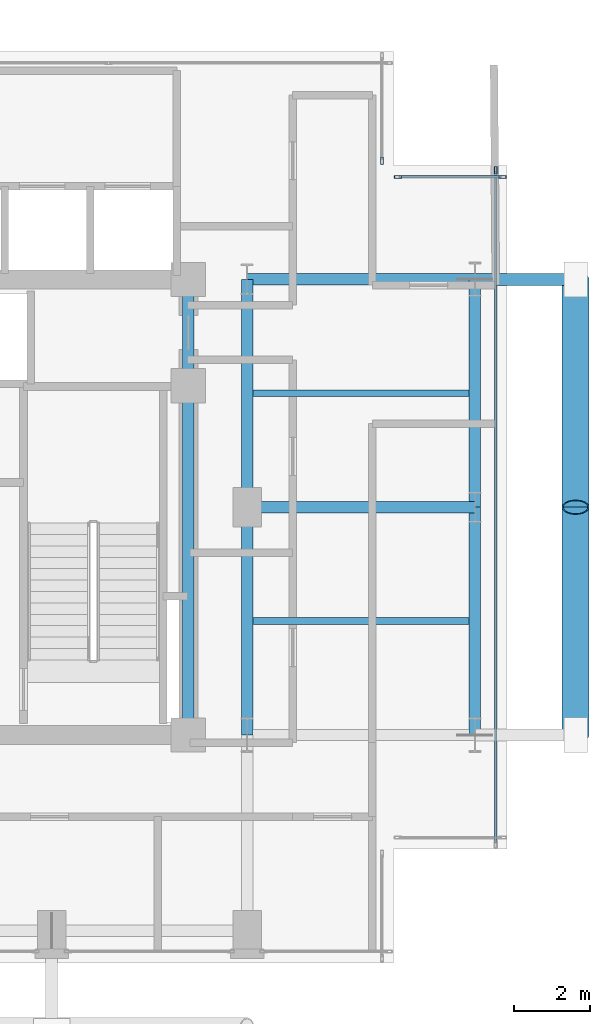
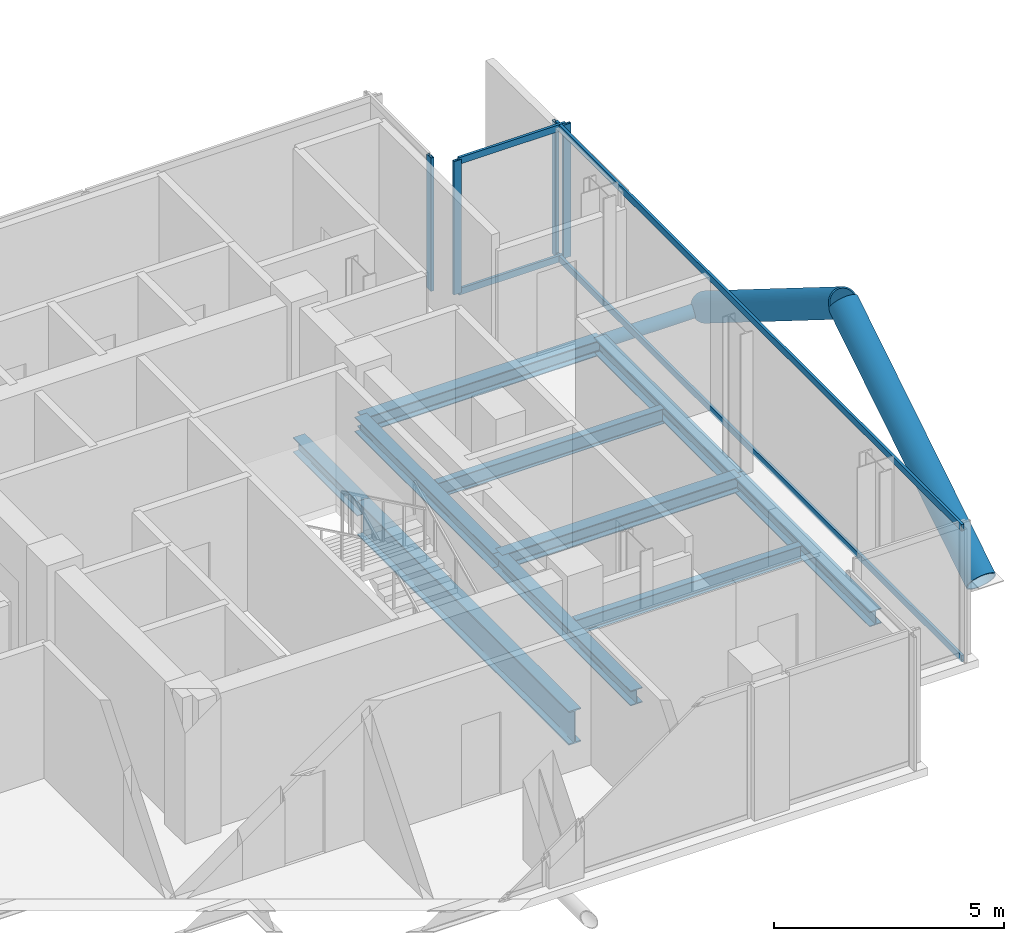
# One storey, part 11 of 22: 11 members, 10 beams, 3 elements without a shape of their own.
"""IFC4 building model written with IfcOpenShell, lengths in metres."""

from ifc_helpers import new_model, si_unit, direction, frame, origin, origin_2d, place, context, subcontext, project, spatial, hollow_rectangle, hollow_circle, i_section, extrude, material, layer, layer_set, material_profile, profile_set, type_object, element, aggregate, save


model = new_model("IFC4")

# Units and contexts
model_context = context("Model", 3, precision=1e-05, world=origin(), true_north=direction((0.0, 1.0)))
body_context = subcontext(model_context, "Body", "Model", "MODEL_VIEW")
ifc_project = project(units=[si_unit("LENGTHUNIT", "METRE"), si_unit("AREAUNIT", "SQUARE_METRE"), si_unit("VOLUMEUNIT", "CUBIC_METRE"), si_unit("PLANEANGLEUNIT", "RADIAN"), si_unit("MASSUNIT", "GRAM", prefix="KILO"), si_unit("THERMODYNAMICTEMPERATUREUNIT", "KELVIN"), si_unit("POWERUNIT", "WATT")], contexts=[model_context])

# Site, building, storey
site_placement = place(None, origin())
site = spatial("IfcSite", under=ifc_project, at=site_placement, CompositionType="ELEMENT")
building_placement = place(site_placement, origin())
building = spatial("IfcBuilding", under=site, at=building_placement, Name="Svarakhadi Broadcast Tower", CompositionType="ELEMENT")
storey_placement = place(building_placement, frame((0.0, 0.0, 172.949951171875)))
storey = spatial("IfcBuildingStorey", under=building, at=storey_placement, Name="L42", CompositionType="ELEMENT", Elevation=172.949951171875)

# Beams
ifc_material_1 = material(Name="Steel S355J2 (IS 2062 E350C)", Category="steel")
ifc_material_profile_1 = material_profile(ifc_material_1, i_section(OverallWidth=0.179931640625, OverallDepth=0.39990234375, WebThickness=0.008544921875, FlangeThickness=0.013427734375, FilletRadius=0.02099609375, at=origin_2d()), Name="NPB 400x180x66")
ifc_profile_set_1 = profile_set([ifc_material_profile_1], Name="Steel S355J2 (IS 2062 E350C)")
beam_type_1 = type_object("IfcBeamType", Name="Beam_NPB400", PredefinedType="BEAM", material=ifc_profile_set_1)
for number, where, z_axis, x_axis, name in (
    (1, (35.31005859375, 9.0, -0.409912109375), (1.0, 0.0, 0.0), (0.0, 1.0, 0.0), "L42 Secondary Composite Beam SB016"),
    (2, (35.31005859375, 15.0, -0.409912109375), (1.0, 0.0, 0.0), (0.0, 1.0, 0.0), "L42 Secondary Composite Beam SB017"),
):
    element("IfcBeam", number, at=place(storey_placement, frame(where, z_axis=z_axis, x_axis=x_axis)), inside=storey, type_object=beam_type_1, Name=name, PredefinedType="BEAM", context=body_context, shape_type="SweptSolid", body=[
        extrude(i_section(OverallWidth=0.179931640625, OverallDepth=0.39990234375, WebThickness=0.008544921875, FlangeThickness=0.013427734375, FilletRadius=0.02099609375, at=origin_2d()), origin(), (0.0, 0.0, 1.0), 5.679931640625),
    ])

# Curtain wall, member
ifc_material_2 = material(Name="Anodised Bronze Aluminium AA 6063-T6", Category="aluminium")
ifc_layer = layer(ifc_material_2, 0.18994140625)
ifc_layer_set = layer_set([ifc_layer], Name="Anodised Bronze Aluminium AA 6063-T6")
curtain_wall_type = type_object("IfcCurtainWallType", Name="CW_Sys_04", PredefinedType="NOTDEFINED", material=ifc_layer_set)
curtain_wall_1_placement = place(storey_placement, origin())
curtain_wall_1 = element("IfcCurtainWall", 3, at=curtain_wall_1_placement, inside=storey, type_object=curtain_wall_type, Name="L42 Unitised Facade Curtain Wall 11", PredefinedType="NOTDEFINED")
ifc_material_profile_2 = material_profile(ifc_material_2, hollow_rectangle(XDim=0.070068359375, YDim=0.18994140625, WallThickness=0.005615234375, at=origin_2d()), Name="ALU MULLION 190x70x6")
ifc_profile_set_2 = profile_set([ifc_material_profile_2], Name="Anodised Bronze Aluminium AA 6063-T6")
member_type_1 = type_object("IfcMemberType", Name="CW_Sys_04_Mul", PredefinedType="MULLION", material=ifc_profile_set_2)
member_1_placement = place(storey_placement, frame((38.699951171875, 21.125, 0.0), z_axis=(0.0, 0.0, 1.0), x_axis=(1.0, 0.0, 0.0)))
member_1 = element("IfcMember", 4, at=member_1_placement, type_object=member_type_1, Name="CW-04 mullion 2", PredefinedType="MULLION", context=body_context, shape_type="SweptSolid", body=[
    extrude(hollow_rectangle(XDim=0.070068359375, YDim=0.18994140625, WallThickness=0.005615234375, at=origin_2d()), origin(), (0.0, 0.0, 1.0), 3.5400390625),
])
aggregate(curtain_wall_1, [member_1])

# Curtain wall, members
curtain_wall_2_placement = place(storey_placement, origin())
curtain_wall_2 = element("IfcCurtainWall", 5, at=curtain_wall_2_placement, inside=storey, type_object=curtain_wall_type, Name="L42 Unitised Facade Curtain Wall 12", PredefinedType="NOTDEFINED")
member_2_placement = place(storey_placement, frame((39.125, 20.699951171875, 0.0), z_axis=(0.0, 0.0, 1.0), x_axis=(0.0, 1.0, 0.0)))
member_2 = element("IfcMember", 6, at=member_2_placement, type_object=member_type_1, Name="CW-04 mullion 1", PredefinedType="MULLION", context=body_context, shape_type="SweptSolid", body=[
    extrude(hollow_rectangle(XDim=0.070068359375, YDim=0.18994140625, WallThickness=0.005615234375, at=origin_2d()), origin(), (0.0, 0.0, 1.0), 3.5400390625),
])
member_3_placement = place(storey_placement, frame((41.875, 20.699951171875, 0.0), z_axis=(0.0, 0.0, 1.0), x_axis=(0.0, 1.0, 0.0)))
member_3 = element("IfcMember", 7, at=member_3_placement, type_object=member_type_1, Name="CW-04 mullion 2", PredefinedType="MULLION", context=body_context, shape_type="SweptSolid", body=[
    extrude(hollow_rectangle(XDim=0.070068359375, YDim=0.18994140625, WallThickness=0.005615234375, at=origin_2d()), origin(), (0.0, 0.0, 1.0), 3.5400390625),
])

# Curtain wall, member
curtain_wall_3_placement = place(storey_placement, origin())
curtain_wall_3 = element("IfcCurtainWall", 8, at=curtain_wall_3_placement, inside=storey, type_object=curtain_wall_type, Name="L42 Unitised Facade Curtain Wall 13", PredefinedType="NOTDEFINED")
member_4_placement = place(storey_placement, frame((41.699951171875, 20.875, 0.0), z_axis=(0.0, 0.0, 1.0), x_axis=(1.0, 0.0, 0.0)))
member_4 = element("IfcMember", 9, at=member_4_placement, type_object=member_type_1, Name="CW-04 mullion 1", PredefinedType="MULLION", context=body_context, shape_type="SweptSolid", body=[
    extrude(hollow_rectangle(XDim=0.070068359375, YDim=0.18994140625, WallThickness=0.005615234375, at=origin_2d()), origin(), (0.0, 0.0, 1.0), 3.5400390625),
])

# Member
ifc_material_profile_3 = material_profile(ifc_material_2, hollow_rectangle(XDim=0.06494140625, YDim=0.175048828125, WallThickness=0.0048828125, at=origin_2d()), Name="ALU TRANSOM 175x65x5")
ifc_profile_set_3 = profile_set([ifc_material_profile_3], Name="Anodised Bronze Aluminium AA 6063-T6")
member_type_2 = type_object("IfcMemberType", Name="CW_Sys_04_Trn", PredefinedType="USERDEFINED", material=ifc_profile_set_3)
member_5_placement = place(storey_placement, frame((39.159912109375, 20.699951171875, 0.032470703125), z_axis=(1.0, 0.0, 0.0), x_axis=(0.0, 1.0, 0.0)))
member_5 = element("IfcMember", 10, at=member_5_placement, type_object=member_type_2, Name="CW-04 transom 1.1", ObjectType="TRANSOM", PredefinedType="USERDEFINED", context=body_context, shape_type="SweptSolid", body=[
    extrude(hollow_rectangle(XDim=0.06494140625, YDim=0.175048828125, WallThickness=0.0048828125, at=origin_2d()), origin(), (0.0, 0.0, 1.0), 2.68017578125),
])

member_6_placement = place(storey_placement, frame((39.159912109375, 20.699951171875, 3.507568359375), z_axis=(1.0, 0.0, 0.0), x_axis=(0.0, 1.0, 0.0)))
member_6 = element("IfcMember", 11, at=member_6_placement, type_object=member_type_2, Name="CW-04 transom 1.2", ObjectType="TRANSOM", PredefinedType="USERDEFINED", context=body_context, shape_type="SweptSolid", body=[
    extrude(hollow_rectangle(XDim=0.06494140625, YDim=0.175048828125, WallThickness=0.0048828125, at=origin_2d()), origin(), (0.0, 0.0, 1.0), 2.68017578125),
])

aggregate(curtain_wall_2, [member_2, member_3, member_5, member_6])

member_7_placement = place(storey_placement, frame((41.699951171875, 20.840087890625, 0.032470703125), z_axis=(0.0, -1.0, 0.0), x_axis=(1.0, 0.0, 0.0)))
member_7 = element("IfcMember", 12, at=member_7_placement, type_object=member_type_2, Name="CW-04 transom 1.1", ObjectType="TRANSOM", PredefinedType="USERDEFINED", context=body_context, shape_type="SweptSolid", body=[
    extrude(hollow_rectangle(XDim=0.06494140625, YDim=0.175048828125, WallThickness=0.0048828125, at=origin_2d()), origin(), (0.0, 0.0, 1.0), 17.68017578125),
])

member_8_placement = place(storey_placement, frame((41.699951171875, 20.840087890625, 3.507568359375), z_axis=(0.0, -1.0, 0.0), x_axis=(1.0, 0.0, 0.0)))
member_8 = element("IfcMember", 13, at=member_8_placement, type_object=member_type_2, Name="CW-04 transom 1.2", ObjectType="TRANSOM", PredefinedType="USERDEFINED", context=body_context, shape_type="SweptSolid", body=[
    extrude(hollow_rectangle(XDim=0.06494140625, YDim=0.175048828125, WallThickness=0.0048828125, at=origin_2d()), origin(), (0.0, 0.0, 1.0), 17.68017578125),
])

aggregate(curtain_wall_3, [member_4, member_7, member_8])

# Members
ifc_material_3 = material(Name="Steel S460ML (IS 2062 E450BR)", Category="steel")
ifc_material_profile_4 = material_profile(ifc_material_3, hollow_circle(Radius=0.35546875, WallThickness=0.034912109375, at=origin_2d()), Name="CHS 711x35")
ifc_profile_set_4 = profile_set([ifc_material_profile_4], Name="Steel S460ML (IS 2062 E450BR)")
member_type_3 = type_object("IfcMemberType", Name="Exo_Brace_CHS711", PredefinedType="BRACE", material=ifc_profile_set_4)
for number, where, z_axis, x_axis, name in (
    (14, (43.800048828125, 6.0, -0.371826171875), (0.0, 0.847998304005, 0.529998940003), (-1.0, 0.0, 0.0), "L42 Exposed Bronze Exoskeleton Diagonal E04"),
    (15, (43.800048828125, 18.0, -0.371826171875), (0.0, -0.847998304005, 0.529998940003), (1.0, 0.0, 0.0), "L42 Exposed Bronze Exoskeleton Diagonal E05"),
):
    element("IfcMember", number, at=place(storey_placement, frame(where, z_axis=z_axis, x_axis=x_axis)), inside=storey, type_object=member_type_3, Name=name, PredefinedType="BRACE", context=body_context, shape_type="SweptSolid", body=[
        extrude(hollow_circle(Radius=0.35546875, WallThickness=0.034912109375, at=origin_2d()), origin(), (0.0, 0.0, 1.0), 7.075439453125),
    ])
ifc_material_profile_5 = material_profile(ifc_material_3, hollow_circle(Radius=0.161865234375, WallThickness=0.01611328125, at=origin_2d()), Name="CHS 323.9x16")
ifc_profile_set_5 = profile_set([ifc_material_profile_5], Name="Steel S460ML (IS 2062 E450BR)")
member_type_4 = type_object("IfcMemberType", Name="Exo_Radial_Strut_Z2", PredefinedType="STRUT", material=ifc_profile_set_5)
member_9_placement = place(storey_placement, frame((43.800048828125, 18.0, -0.371826171875), z_axis=(-1.0, 0.0, 0.0), x_axis=(0.0, -1.0, 0.0)))
element("IfcMember", 16, at=member_9_placement, inside=storey, type_object=member_type_4, Name="L42 Exoskeleton Radial Tie Strut E08", PredefinedType="STRUT", context=body_context, shape_type="SweptSolid", body=[
    extrude(hollow_circle(Radius=0.161865234375, WallThickness=0.01611328125, at=origin_2d()), origin(), (0.0, 0.0, 1.0), 2.650146484375),
])

# Beams
ifc_material_profile_6 = material_profile(ifc_material_1, i_section(OverallWidth=0.300048828125, OverallDepth=0.39990234375, WebThickness=0.013427734375, FlangeThickness=0.02392578125, FilletRadius=0.027099609375, at=origin_2d()), Name="WPB 400x300x155")
ifc_profile_set_6 = profile_set([ifc_material_profile_6], Name="Steel S355J2 (IS 2062 E350C)")
beam_type_2 = type_object("IfcBeamType", Name="Girder_WPB400", PredefinedType="USERDEFINED", material=ifc_profile_set_6)
for number, where, z_axis, x_axis, name in (
    (17, (35.14990234375, 12.0, -0.409912109375), (1.0, 0.0, 0.0), (0.0, 1.0, 0.0), "L42 Primary E-W Girder G019"),
    (18, (35.14990234375, 18.0, -0.409912109375), (1.0, 0.0, 0.0), (0.0, 1.0, 0.0), "L42 Primary E-W Girder G025"),
):
    element("IfcBeam", number, at=place(storey_placement, frame(where, z_axis=z_axis, x_axis=x_axis)), inside=storey, type_object=beam_type_2, Name=name, ObjectType="GIRDER", PredefinedType="USERDEFINED", context=body_context, shape_type="SweptSolid", body=[
        extrude(i_section(OverallWidth=0.300048828125, OverallDepth=0.39990234375, WebThickness=0.013427734375, FlangeThickness=0.02392578125, FilletRadius=0.027099609375, at=origin_2d()), origin(), (0.0, 0.0, 1.0), 6.0),
    ])
beam_1_placement = place(storey_placement, frame((33.60009765625, 15.199951171875, -0.409912109375), z_axis=(0.0, 1.0, 0.0), x_axis=(-1.0, 0.0, 0.0)))
element("IfcBeam", 19, at=beam_1_placement, inside=storey, type_object=beam_type_2, Name="L42 Primary N-S Girder G055", ObjectType="GIRDER", PredefinedType="USERDEFINED", context=body_context, shape_type="SweptSolid", body=[
    extrude(i_section(OverallWidth=0.300048828125, OverallDepth=0.39990234375, WebThickness=0.013427734375, FlangeThickness=0.02392578125, FilletRadius=0.027099609375, at=origin_2d()), origin(), (0.0, 0.0, 1.0), 2.800048828125),
])
for number, where, z_axis, x_axis, name in (
    (20, (35.14990234375, 6.0, -0.409912109375), (0.0, 1.0, 0.0), (-1.0, 0.0, 0.0), "L42 Primary N-S Girder G057"),
    (21, (35.14990234375, 12.0, -0.409912109375), (0.0, 1.0, 0.0), (-1.0, 0.0, 0.0), "L42 Primary N-S Girder G058"),
    (22, (41.14990234375, 6.0, -0.409912109375), (0.0, 1.0, 0.0), (-1.0, 0.0, 0.0), "L42 Primary N-S Girder G059"),
    (23, (41.14990234375, 12.0, -0.409912109375), (0.0, 1.0, 0.0), (-1.0, 0.0, 0.0), "L42 Primary N-S Girder G060"),
):
    element("IfcBeam", number, at=place(storey_placement, frame(where, z_axis=z_axis, x_axis=x_axis)), inside=storey, type_object=beam_type_2, Name=name, ObjectType="GIRDER", PredefinedType="USERDEFINED", context=body_context, shape_type="SweptSolid", body=[
        extrude(i_section(OverallWidth=0.300048828125, OverallDepth=0.39990234375, WebThickness=0.013427734375, FlangeThickness=0.02392578125, FilletRadius=0.027099609375, at=origin_2d()), origin(), (0.0, 0.0, 1.0), 6.0),
    ])
ifc_material_profile_7 = material_profile(ifc_material_3, i_section(OverallWidth=0.300048828125, OverallDepth=0.89990234375, WebThickness=0.0185546875, FlangeThickness=0.034912109375, FilletRadius=0.030029296875, at=origin_2d()), Name="WPB 900x300x291")
ifc_profile_set_7 = profile_set([ifc_material_profile_7], Name="Steel S460ML (IS 2062 E450BR)")
beam_type_3 = type_object("IfcBeamType", Name="Girder_WPB900", PredefinedType="USERDEFINED", material=ifc_profile_set_7)
beam_2_placement = place(storey_placement, frame((33.60009765625, 6.0, -0.659912109375), z_axis=(0.0, 1.0, 0.0), x_axis=(-1.0, 0.0, 0.0)))
element("IfcBeam", 24, at=beam_2_placement, inside=storey, type_object=beam_type_3, Name="L42 Primary N-S Girder G054", ObjectType="GIRDER", PredefinedType="USERDEFINED", context=body_context, shape_type="SweptSolid", body=[
    extrude(i_section(OverallWidth=0.300048828125, OverallDepth=0.89990234375, WebThickness=0.0185546875, FlangeThickness=0.034912109375, FilletRadius=0.030029296875, at=origin_2d()), origin(), (0.0, 0.0, 1.0), 9.199951171875),
])

save(model, "model.ifc")
